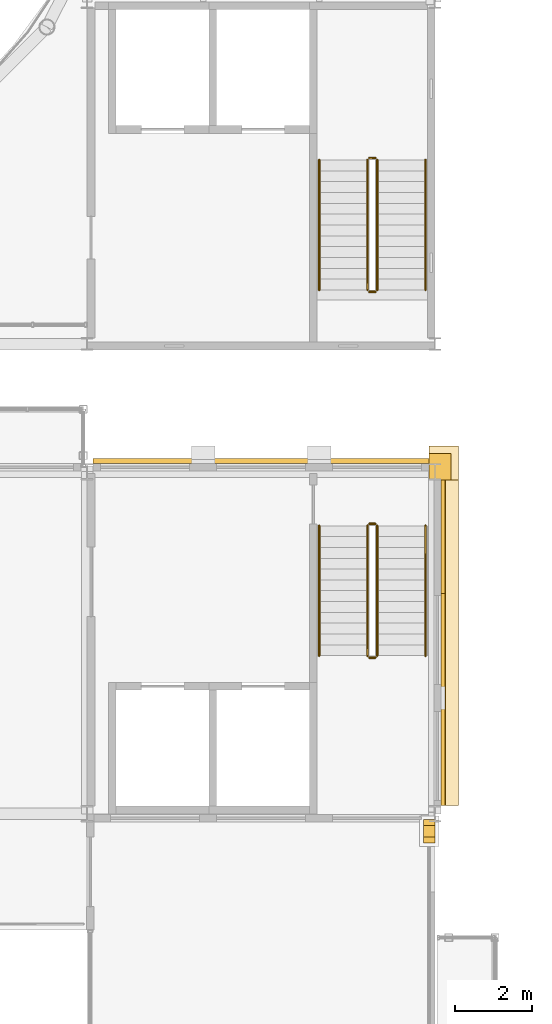
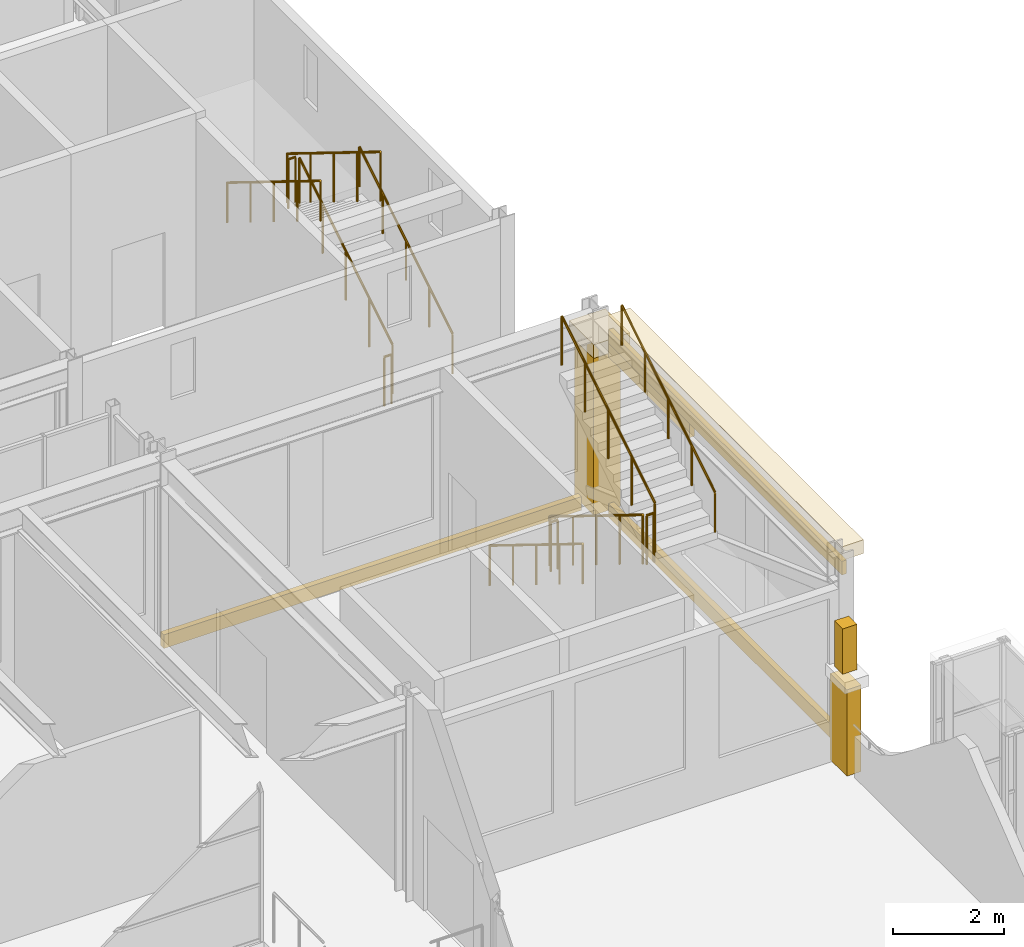
# One storey, part 103 of 111: 12 railings, 9 coverings.
"""IFC4 building model written with IfcOpenShell, lengths in metres."""

from ifc_helpers import new_model, si_unit, direction, frame, origin, origin_2d, place, context, subcontext, project, spatial, rectangle, circle, extrude, material, layer, layer_set, type_object, element, save


model = new_model("IFC4")

# Units and contexts
model_context = context("Model", 3, precision=1e-05, world=origin(), true_north=direction((0.0, 1.0)))
body_context = subcontext(model_context, "Body", "Model", "MODEL_VIEW")
ifc_project = project(units=[si_unit("LENGTHUNIT", "METRE"), si_unit("AREAUNIT", "SQUARE_METRE"), si_unit("VOLUMEUNIT", "CUBIC_METRE"), si_unit("PLANEANGLEUNIT", "RADIAN"), si_unit("MASSUNIT", "GRAM", prefix="KILO")], contexts=[model_context])

# Site, building, storey
site_placement = place(None, origin())
site = spatial("IfcSite", under=ifc_project, at=site_placement, CompositionType="ELEMENT")
building_placement = place(site_placement, origin())
building = spatial("IfcBuilding", under=site, at=building_placement, Name="Kallimachos Central Library", CompositionType="ELEMENT")
storey_placement = place(building_placement, frame((0.0, 0.0, 14.39990234375)))
storey = spatial("IfcBuildingStorey", under=building, at=storey_placement, Name="L03", CompositionType="ELEMENT", Elevation=14.39990234375)

# Coverings
ifc_material_1 = material(Name="Glazed ceramic frieze, green")
ifc_layer_1 = layer(ifc_material_1, 0.10009765625)
ifc_layer_set_1 = layer_set([ifc_layer_1], Name="Glazed ceramic frieze, green")
covering_type_1 = type_object("IfcCoveringType", Name="Glazed ceramic frieze, green", PredefinedType="CLADDING", material=ifc_layer_set_1)
covering_1_placement = place(storey_placement, frame((110.70361328125, 79.425048828125, 3.68017578125), z_axis=(0.0, 0.0, 1.0), x_axis=(1.0, 0.0, 0.0)))
element("IfcCovering", 1, at=covering_1_placement, inside=storey, type_object=covering_type_1, Name="Glazed ceramic frieze, green -L03-023", PredefinedType="CLADDING", context=body_context, shape_type="SweptSolid", body=[
    extrude(rectangle(XDim=0.10009765625, YDim=8.41796875, at=origin_2d()), origin(), (0.0, 0.0, 1.0), 0.300048828125),
])
ifc_material_2 = material(Name="Glazed ceramic frieze, ochre")
ifc_layer_2 = layer(ifc_material_2, 0.10009765625)
ifc_layer_set_2 = layer_set([ifc_layer_2], Name="Glazed ceramic frieze, ochre")
covering_type_2 = type_object("IfcCoveringType", Name="Glazed ceramic frieze, ochre", PredefinedType="CLADDING", material=ifc_layer_set_2)
covering_2_placement = place(storey_placement, frame((110.70361328125, 82.1669921875, 3.3798828125), z_axis=(0.0, 0.0, 1.0), x_axis=(1.0, 0.0, 0.0)))
element("IfcCovering", 2, at=covering_2_placement, inside=storey, type_object=covering_type_2, Name="Glazed ceramic frieze, ochre -L03-023", PredefinedType="CLADDING", context=body_context, shape_type="SweptSolid", body=[
    extrude(rectangle(XDim=0.10009765625, YDim=2.93408203125, at=origin_2d()), origin(), (0.0, 0.0, 1.0), 0.300048828125),
])

# Railings
ifc_material_3 = material(Name="Wrought iron")
railing_type_1 = type_object("IfcRailingType", Name="Stair guard", PredefinedType="GUARDRAIL", material=ifc_material_3)
railing_1_placement = place(storey_placement, frame((108.75, 82.449951171875, 0.173095703125)))
element("IfcRailing", 3, at=railing_1_placement, inside=storey, type_object=railing_type_1, Name="L03 ST10 stair guard 1", PredefinedType="GUARDRAIL", context=body_context, shape_type="SweptSolid", body=[
    extrude(circle(Radius=0.02392578125, at=origin_2d()), frame((0.0, 0.0, 1.076171875), z_axis=(0.0, -0.850606129759, 0.525803396734), x_axis=(1.0, 0.0, 0.0)), (0.0, 0.0, 1.0), 3.949951171875),
    extrude(circle(Radius=0.02099609375, at=origin_2d()), origin(), (0.0, 0.0, 1.0), 1.052001953125),
    extrude(circle(Radius=0.02099609375, at=origin_2d()), frame((0.0, -0.83984375, 0.519287109375)), (0.0, 0.0, 1.0), 1.052001953125),
    extrude(circle(Radius=0.02099609375, at=origin_2d()), frame((0.0, -1.679931640625, 1.03857421875)), (0.0, 0.0, 1.0), 1.052001953125),
    extrude(circle(Radius=0.02099609375, at=origin_2d()), frame((0.0, -2.52001953125, 1.5576171875)), (0.0, 0.0, 1.0), 1.052001953125),
    extrude(circle(Radius=0.02099609375, at=origin_2d()), frame((0.0, -3.35986328125, 2.076904296875)), (0.0, 0.0, 1.0), 1.052001953125),
])
railing_2_placement = place(storey_placement, frame((108.800048828125, 79.0400390625, 2.25)))
element("IfcRailing", 4, at=railing_2_placement, inside=storey, type_object=railing_type_1, Name="L03 ST10 stair guard 2", PredefinedType="GUARDRAIL", context=body_context, shape_type="SweptSolid", body=[
    extrude(circle(Radius=0.02392578125, at=origin_2d()), frame((0.0, 0.0, 1.076171875), z_axis=(1.0, 0.0, 0.0), x_axis=(0.0, 1.0, 0.0)), (0.0, 0.0, 1.0), 0.14990234375),
    extrude(circle(Radius=0.02099609375, at=origin_2d()), origin(), (0.0, 0.0, 1.0), 1.052001953125),
    extrude(circle(Radius=0.02099609375, at=origin_2d()), frame((0.14990234375, 0.0, 0.0)), (0.0, 0.0, 1.0), 1.052001953125),
])
railing_3_placement = place(storey_placement, frame((109.0, 79.090087890625, 2.423095703125)))
element("IfcRailing", 5, at=railing_3_placement, inside=storey, type_object=railing_type_1, Name="L03 ST10 stair guard 3", PredefinedType="GUARDRAIL", context=body_context, shape_type="SweptSolid", body=[
    extrude(circle(Radius=0.02392578125, at=origin_2d()), frame((0.0, 0.0, 1.076171875), z_axis=(0.0, 0.850606129759, 0.525803396734), x_axis=(-1.0, 0.0, 0.0)), (0.0, 0.0, 1.0), 3.949951171875),
    extrude(circle(Radius=0.02099609375, at=origin_2d()), origin(), (0.0, 0.0, 1.0), 1.052001953125),
    extrude(circle(Radius=0.02099609375, at=origin_2d()), frame((0.0, 0.83984375, 0.519287109375)), (0.0, 0.0, 1.0), 1.052001953125),
    extrude(circle(Radius=0.02099609375, at=origin_2d()), frame((0.0, 1.679931640625, 1.03857421875)), (0.0, 0.0, 1.0), 1.052001953125),
    extrude(circle(Radius=0.02099609375, at=origin_2d()), frame((0.0, 2.52001953125, 1.5576171875)), (0.0, 0.0, 1.0), 1.052001953125),
    extrude(circle(Radius=0.02099609375, at=origin_2d()), frame((0.0, 3.35986328125, 2.076904296875)), (0.0, 0.0, 1.0), 1.052001953125),
])
railing_4_placement = place(storey_placement, frame((108.800048828125, 82.5, 0.0)))
element("IfcRailing", 6, at=railing_4_placement, inside=storey, type_object=railing_type_1, Name="L03 ST10 stair guard 4", PredefinedType="GUARDRAIL", context=body_context, shape_type="SweptSolid", body=[
    extrude(circle(Radius=0.02392578125, at=origin_2d()), frame((0.0, 0.0, 1.076171875), z_axis=(1.0, 0.0, 0.0), x_axis=(0.0, 1.0, 0.0)), (0.0, 0.0, 1.0), 0.14990234375),
    extrude(circle(Radius=0.02099609375, at=origin_2d()), origin(), (0.0, 0.0, 1.0), 1.052001953125),
    extrude(circle(Radius=0.02099609375, at=origin_2d()), frame((0.14990234375, 0.0, 0.0)), (0.0, 0.0, 1.0), 1.052001953125),
])
ifc_material_4 = material(Name="Wrought iron")
railing_type_2 = type_object("IfcRailingType", Name="Stair handrail", PredefinedType="HANDRAIL", material=ifc_material_4)
railing_5_placement = place(storey_placement, frame((107.5, 82.449951171875, 0.173095703125)))
element("IfcRailing", 7, at=railing_5_placement, inside=storey, type_object=railing_type_2, Name="L03 ST10 stair handrail 1", PredefinedType="HANDRAIL", context=body_context, shape_type="SweptSolid", body=[
    extrude(circle(Radius=0.02392578125, at=origin_2d()), frame((0.0, 0.0, 0.8759765625), z_axis=(0.0, -0.850606129759, 0.525803396734), x_axis=(1.0, 0.0, 0.0)), (0.0, 0.0, 1.0), 3.949951171875),
    extrude(circle(Radius=0.02099609375, at=origin_2d()), origin(), (0.0, 0.0, 1.0), 0.851806640625),
    extrude(circle(Radius=0.02099609375, at=origin_2d()), frame((0.0, -0.83984375, 0.519287109375)), (0.0, 0.0, 1.0), 0.851806640625),
    extrude(circle(Radius=0.02099609375, at=origin_2d()), frame((0.0, -1.679931640625, 1.03857421875)), (0.0, 0.0, 1.0), 0.851806640625),
    extrude(circle(Radius=0.02099609375, at=origin_2d()), frame((0.0, -2.52001953125, 1.5576171875)), (0.0, 0.0, 1.0), 0.851806640625),
    extrude(circle(Radius=0.02099609375, at=origin_2d()), frame((0.0, -3.35986328125, 2.076904296875)), (0.0, 0.0, 1.0), 0.851806640625),
])
railing_6_placement = place(storey_placement, frame((110.25, 79.090087890625, 2.423095703125)))
element("IfcRailing", 8, at=railing_6_placement, inside=storey, type_object=railing_type_2, Name="L03 ST10 stair handrail 2", PredefinedType="HANDRAIL", context=body_context, shape_type="SweptSolid", body=[
    extrude(circle(Radius=0.02392578125, at=origin_2d()), frame((0.0, 0.0, 0.8759765625), z_axis=(0.0, 0.850606129759, 0.525803396734), x_axis=(-1.0, 0.0, 0.0)), (0.0, 0.0, 1.0), 3.949951171875),
    extrude(circle(Radius=0.02099609375, at=origin_2d()), origin(), (0.0, 0.0, 1.0), 0.851806640625),
    extrude(circle(Radius=0.02099609375, at=origin_2d()), frame((0.0, 0.83984375, 0.519287109375)), (0.0, 0.0, 1.0), 0.851806640625),
    extrude(circle(Radius=0.02099609375, at=origin_2d()), frame((0.0, 1.679931640625, 1.03857421875)), (0.0, 0.0, 1.0), 0.851806640625),
    extrude(circle(Radius=0.02099609375, at=origin_2d()), frame((0.0, 2.52001953125, 1.5576171875)), (0.0, 0.0, 1.0), 0.851806640625),
    extrude(circle(Radius=0.02099609375, at=origin_2d()), frame((0.0, 3.35986328125, 2.076904296875)), (0.0, 0.0, 1.0), 0.851806640625),
])

# Coverings
ifc_material_5 = material(Name="Pentelic marble attic moulding", Category="masonry")
ifc_layer_3 = layer(ifc_material_5, 0.1201171875)
ifc_layer_set_3 = layer_set([ifc_layer_3], Name="Stone attic moulding 300")
covering_type_3 = type_object("IfcCoveringType", Name="Stone attic moulding 300", PredefinedType="MOLDING", material=ifc_layer_set_3)
covering_3_placement = place(storey_placement, frame((106.0, 84.1259765625, -0.14990234375), z_axis=(0.0, 0.0, 1.0), x_axis=(1.0, 0.0, 0.0)))
element("IfcCovering", 9, at=covering_3_placement, inside=storey, type_object=covering_type_3, Name="Stone attic moulding 300 -L03-019", PredefinedType="MOLDING", context=body_context, shape_type="SweptSolid", body=[
    extrude(rectangle(XDim=8.693115234375, YDim=0.1201171875, at=origin_2d()), origin(), (0.0, 0.0, 1.0), 0.300048828125),
])
covering_4_placement = place(storey_placement, frame((110.71337890625, 79.425048828125, -0.14990234375), z_axis=(0.0, 0.0, 1.0), x_axis=(1.0, 0.0, 0.0)))
element("IfcCovering", 10, at=covering_4_placement, inside=storey, type_object=covering_type_3, Name="Stone attic moulding 300 -L03-023", PredefinedType="MOLDING", context=body_context, shape_type="SweptSolid", body=[
    extrude(rectangle(XDim=0.1201171875, YDim=8.41796875, at=origin_2d()), origin(), (0.0, 0.0, 1.0), 0.300048828125),
])
ifc_material_6 = material(Name="Pentelic marble cornice", Category="masonry")
ifc_layer_4 = layer(ifc_material_6, 0.449951171875)
ifc_layer_set_4 = layer_set([ifc_layer_4], Name="Stone cornice 450")
covering_type_4 = type_object("IfcCoveringType", Name="Stone cornice 450", PredefinedType="MOLDING", material=ifc_layer_set_4)
covering_5_placement = place(storey_placement, frame((110.87841796875, 79.425048828125, 4.0), z_axis=(0.0, 0.0, 1.0), x_axis=(1.0, 0.0, 0.0)))
element("IfcCovering", 11, at=covering_5_placement, inside=storey, type_object=covering_type_4, Name="Stone cornice 450 -L03-023", PredefinedType="MOLDING", context=body_context, shape_type="SweptSolid", body=[
    extrude(rectangle(XDim=0.449951171875, YDim=8.41796875, at=origin_2d()), origin(), (0.0, 0.0, 1.0), 0.300048828125),
])
covering_6_placement = place(storey_placement, frame((110.72509765625, 84.074951171875, 3.4501953125), z_axis=(0.0, 0.0, 1.0), x_axis=(1.0, 0.0, 0.0)))
element("IfcCovering", 12, at=covering_6_placement, inside=storey, type_object=covering_type_4, Name="Stone cornice 450 corner", PredefinedType="MOLDING", context=body_context, shape_type="SweptSolid", body=[
    extrude(rectangle(XDim=0.757080078125, YDim=0.882080078125, at=origin_2d()), origin(), (0.0, 0.0, 1.0), 0.300048828125),
])
ifc_material_7 = material(Name="Pentelic marble pilaster", Category="masonry")
ifc_layer_5 = layer(ifc_material_7, 0.25)
ifc_layer_set_5 = layer_set([ifc_layer_5], Name="Stone pilaster 250")
covering_type_5 = type_object("IfcCoveringType", Name="Stone pilaster 250", PredefinedType="CLADDING", material=ifc_layer_set_5)
covering_7_placement = place(storey_placement, frame((110.625, 83.97509765625, 0.0), z_axis=(0.0, 0.0, 1.0), x_axis=(1.0, 0.0, 0.0)))
element("IfcCovering", 13, at=covering_7_placement, inside=storey, type_object=covering_type_5, Name="Stone pilaster 250 corner", PredefinedType="CLADDING", context=body_context, shape_type="SweptSolid", body=[
    extrude(rectangle(XDim=0.556884765625, YDim=0.681884765625, at=origin_2d()), origin(), (0.0, 0.0, 1.0), 3.449951171875),
])
ifc_material_8 = material(Name="Pentelic marble finial", Category="masonry")
ifc_layer_6 = layer(ifc_material_8, 0.300048828125)
ifc_layer_set_6 = layer_set([ifc_layer_6], Name="Stone pinnacle finial 300")
covering_type_6 = type_object("IfcCoveringType", Name="Stone pinnacle finial 300", PredefinedType="MOLDING", material=ifc_layer_set_6)
covering_8_placement = place(storey_placement, frame((110.35009765625, 74.550048828125, 2.150146484375), z_axis=(0.0, 0.0, 1.0), x_axis=(1.0, 0.0, 0.0)))
element("IfcCovering", 14, at=covering_8_placement, inside=storey, type_object=covering_type_6, Name="East wing roof edge pinnacle 3 finial", PredefinedType="MOLDING", context=body_context, shape_type="SweptSolid", body=[
    extrude(rectangle(XDim=0.300048828125, YDim=0.300048828125, at=origin_2d()), origin(), (0.0, 0.0, 1.0), 1.0),
])
ifc_material_9 = material(Name="Pentelic marble pinnacle", Category="masonry")
ifc_layer_7 = layer(ifc_material_9, 0.60009765625)
ifc_layer_set_7 = layer_set([ifc_layer_7], Name="Stone pinnacle shaft 600")
covering_type_7 = type_object("IfcCoveringType", Name="Stone pinnacle shaft 600", PredefinedType="MOLDING", material=ifc_layer_set_7)
covering_9_placement = place(storey_placement, frame((110.35009765625, 74.550048828125, 0.000244140625), z_axis=(0.0, 0.0, 1.0), x_axis=(1.0, 0.0, 0.0)))
element("IfcCovering", 15, at=covering_9_placement, inside=storey, type_object=covering_type_7, Name="East wing roof edge pinnacle 3 shaft", PredefinedType="MOLDING", context=body_context, shape_type="SweptSolid", body=[
    extrude(rectangle(XDim=0.300048828125, YDim=0.60009765625, at=origin_2d()), origin(), (0.0, 0.0, 1.0), 1.89990234375),
])

# Railings
ifc_material_10 = material(Name="Wrought iron")
railing_type_3 = type_object("IfcRailingType", Name="Wrought-iron handrail 900", PredefinedType="HANDRAIL", material=ifc_material_10)
railing_7_placement = place(storey_placement, frame((110.25, 88.550048828125, 0.173095703125)))
element("IfcRailing", 16, at=railing_7_placement, inside=storey, type_object=railing_type_3, Name="L03 ST2 stair handrail 1", PredefinedType="HANDRAIL", context=body_context, shape_type="SweptSolid", body=[
    extrude(circle(Radius=0.02392578125, at=origin_2d()), frame((0.0, 0.0, 0.8759765625), z_axis=(0.0, 0.850606129759, 0.525803396734), x_axis=(-1.0, 0.0, 0.0)), (0.0, 0.0, 1.0), 3.949951171875),
    extrude(circle(Radius=0.02099609375, at=origin_2d()), origin(), (0.0, 0.0, 1.0), 0.851806640625),
    extrude(circle(Radius=0.02099609375, at=origin_2d()), frame((0.0, 0.83984375, 0.519287109375)), (0.0, 0.0, 1.0), 0.851806640625),
    extrude(circle(Radius=0.02099609375, at=origin_2d()), frame((0.0, 1.679931640625, 1.03857421875)), (0.0, 0.0, 1.0), 0.851806640625),
    extrude(circle(Radius=0.02099609375, at=origin_2d()), frame((0.0, 2.52001953125, 1.5576171875)), (0.0, 0.0, 1.0), 0.851806640625),
    extrude(circle(Radius=0.02099609375, at=origin_2d()), frame((0.0, 3.35986328125, 2.076904296875)), (0.0, 0.0, 1.0), 0.851806640625),
])
railing_8_placement = place(storey_placement, frame((107.5, 91.909912109375, 2.423095703125)))
element("IfcRailing", 17, at=railing_8_placement, inside=storey, type_object=railing_type_3, Name="L03 ST2 stair handrail 2", PredefinedType="HANDRAIL", context=body_context, shape_type="SweptSolid", body=[
    extrude(circle(Radius=0.02392578125, at=origin_2d()), frame((0.0, 0.0, 0.8759765625), z_axis=(0.0, -0.850606129759, 0.525803396734), x_axis=(1.0, 0.0, 0.0)), (0.0, 0.0, 1.0), 3.949951171875),
    extrude(circle(Radius=0.02099609375, at=origin_2d()), origin(), (0.0, 0.0, 1.0), 0.851806640625),
    extrude(circle(Radius=0.02099609375, at=origin_2d()), frame((0.0, -0.83984375, 0.519287109375)), (0.0, 0.0, 1.0), 0.851806640625),
    extrude(circle(Radius=0.02099609375, at=origin_2d()), frame((0.0, -1.679931640625, 1.03857421875)), (0.0, 0.0, 1.0), 0.851806640625),
    extrude(circle(Radius=0.02099609375, at=origin_2d()), frame((0.0, -2.52001953125, 1.5576171875)), (0.0, 0.0, 1.0), 0.851806640625),
    extrude(circle(Radius=0.02099609375, at=origin_2d()), frame((0.0, -3.35986328125, 2.076904296875)), (0.0, 0.0, 1.0), 0.851806640625),
])
ifc_material_11 = material(Name="Wrought iron")
railing_type_4 = type_object("IfcRailingType", Name="Wrought-iron stair guard 1100", PredefinedType="GUARDRAIL", material=ifc_material_11)
railing_9_placement = place(storey_placement, frame((109.0, 88.550048828125, 0.173095703125)))
element("IfcRailing", 18, at=railing_9_placement, inside=storey, type_object=railing_type_4, Name="L03 ST2 stair guard 1", PredefinedType="GUARDRAIL", context=body_context, shape_type="SweptSolid", body=[
    extrude(circle(Radius=0.02392578125, at=origin_2d()), frame((0.0, 0.0, 1.076171875), z_axis=(0.0, 0.850606129759, 0.525803396734), x_axis=(-1.0, 0.0, 0.0)), (0.0, 0.0, 1.0), 3.949951171875),
    extrude(circle(Radius=0.02099609375, at=origin_2d()), origin(), (0.0, 0.0, 1.0), 1.052001953125),
    extrude(circle(Radius=0.02099609375, at=origin_2d()), frame((0.0, 0.83984375, 0.519287109375)), (0.0, 0.0, 1.0), 1.052001953125),
    extrude(circle(Radius=0.02099609375, at=origin_2d()), frame((0.0, 1.679931640625, 1.03857421875)), (0.0, 0.0, 1.0), 1.052001953125),
    extrude(circle(Radius=0.02099609375, at=origin_2d()), frame((0.0, 2.52001953125, 1.5576171875)), (0.0, 0.0, 1.0), 1.052001953125),
    extrude(circle(Radius=0.02099609375, at=origin_2d()), frame((0.0, 3.35986328125, 2.076904296875)), (0.0, 0.0, 1.0), 1.052001953125),
])
railing_10_placement = place(storey_placement, frame((108.949951171875, 91.9599609375, 2.25)))
element("IfcRailing", 19, at=railing_10_placement, inside=storey, type_object=railing_type_4, Name="L03 ST2 stair guard 2", PredefinedType="GUARDRAIL", context=body_context, shape_type="SweptSolid", body=[
    extrude(circle(Radius=0.02392578125, at=origin_2d()), frame((0.0, 0.0, 1.076171875), z_axis=(-1.0, 0.0, 0.0), x_axis=(0.0, -1.0, 0.0)), (0.0, 0.0, 1.0), 0.14990234375),
    extrude(circle(Radius=0.02099609375, at=origin_2d()), origin(), (0.0, 0.0, 1.0), 1.052001953125),
    extrude(circle(Radius=0.02099609375, at=origin_2d()), frame((-0.14990234375, 0.0, 0.0)), (0.0, 0.0, 1.0), 1.052001953125),
])
railing_11_placement = place(storey_placement, frame((108.75, 91.909912109375, 2.423095703125)))
element("IfcRailing", 20, at=railing_11_placement, inside=storey, type_object=railing_type_4, Name="L03 ST2 stair guard 3", PredefinedType="GUARDRAIL", context=body_context, shape_type="SweptSolid", body=[
    extrude(circle(Radius=0.02392578125, at=origin_2d()), frame((0.0, 0.0, 1.076171875), z_axis=(0.0, -0.850606129759, 0.525803396734), x_axis=(1.0, 0.0, 0.0)), (0.0, 0.0, 1.0), 3.949951171875),
    extrude(circle(Radius=0.02099609375, at=origin_2d()), origin(), (0.0, 0.0, 1.0), 1.052001953125),
    extrude(circle(Radius=0.02099609375, at=origin_2d()), frame((0.0, -0.83984375, 0.519287109375)), (0.0, 0.0, 1.0), 1.052001953125),
    extrude(circle(Radius=0.02099609375, at=origin_2d()), frame((0.0, -1.679931640625, 1.03857421875)), (0.0, 0.0, 1.0), 1.052001953125),
    extrude(circle(Radius=0.02099609375, at=origin_2d()), frame((0.0, -2.52001953125, 1.5576171875)), (0.0, 0.0, 1.0), 1.052001953125),
    extrude(circle(Radius=0.02099609375, at=origin_2d()), frame((0.0, -3.35986328125, 2.076904296875)), (0.0, 0.0, 1.0), 1.052001953125),
])
railing_12_placement = place(storey_placement, frame((108.949951171875, 88.5, 0.0)))
element("IfcRailing", 21, at=railing_12_placement, inside=storey, type_object=railing_type_4, Name="L03 ST2 stair guard 4", PredefinedType="GUARDRAIL", context=body_context, shape_type="SweptSolid", body=[
    extrude(circle(Radius=0.02392578125, at=origin_2d()), frame((0.0, 0.0, 1.076171875), z_axis=(-1.0, 0.0, 0.0), x_axis=(0.0, -1.0, 0.0)), (0.0, 0.0, 1.0), 0.14990234375),
    extrude(circle(Radius=0.02099609375, at=origin_2d()), origin(), (0.0, 0.0, 1.0), 1.052001953125),
    extrude(circle(Radius=0.02099609375, at=origin_2d()), frame((-0.14990234375, 0.0, 0.0)), (0.0, 0.0, 1.0), 1.052001953125),
])

save(model, "model.ifc")
